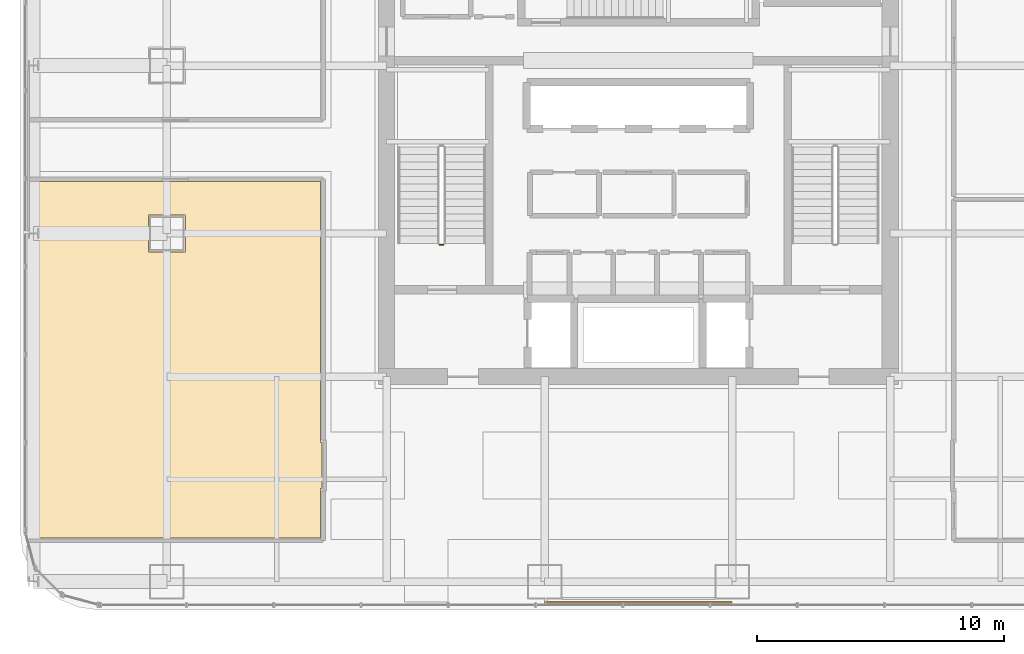
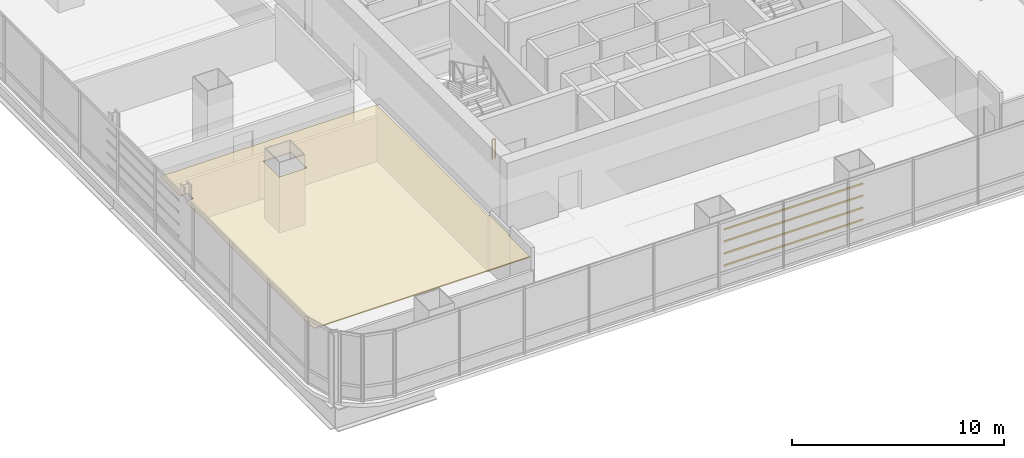
# One storey, part 34 of 38: 4 shading devices, 1 covering, 1 railing.
"""IFC4 building model written with IfcOpenShell, lengths in metres."""

from ifc_helpers import new_model, si_unit, direction, frame, origin, origin_2d, place, context, subcontext, project, spatial, polyline, hollow_rectangle, circle, outline, extrude, material, layer, layer_set, material_profile, profile_set, type_object, element, save


model = new_model("IFC4")

# Units and contexts
model_context = context("Model", 3, precision=1e-05, world=origin(), true_north=direction((0.0, 1.0)))
body_context = subcontext(model_context, "Body", "Model", "MODEL_VIEW")
ifc_project = project(units=[si_unit("LENGTHUNIT", "METRE"), si_unit("AREAUNIT", "SQUARE_METRE"), si_unit("VOLUMEUNIT", "CUBIC_METRE"), si_unit("PLANEANGLEUNIT", "RADIAN"), si_unit("MASSUNIT", "GRAM", prefix="KILO")], contexts=[model_context])

# Site, building, storey
site_placement = place(None, origin())
site = spatial("IfcSite", under=ifc_project, at=site_placement, CompositionType="ELEMENT")
building_placement = place(site_placement, origin())
building = spatial("IfcBuilding", under=site, at=building_placement, Name="Punatoya Terracotta Tower", CompositionType="ELEMENT")
storey_placement = place(building_placement, frame((0.0, 0.0, 151.949951171875)))
storey = spatial("IfcBuildingStorey", under=building, at=storey_placement, Name="L35", CompositionType="ELEMENT", Elevation=151.949951171875)

# Covering
ifc_material_1 = material(Name="Acoustic Mineral Fibre Ceiling")
ifc_layer = layer(ifc_material_1, 0.06005859375)
ifc_layer_set = layer_set([ifc_layer], Name="Acoustic Mineral Fibre Ceiling")
covering_type = type_object("IfcCoveringType", Name="COV-CEIL-60", PredefinedType="CEILING", material=ifc_layer_set)
covering_placement = place(storey_placement, frame((0.0, 0.0, 3.219970703125)))
element("IfcCovering", 1, at=covering_placement, inside=storey, type_object=covering_type, Name="L35 Cartography Reference Library Acoustic Ceiling", PredefinedType="CEILING", context=body_context, shape_type="SweptSolid", body=[
    extrude(outline(polyline([(-24.24560546875, -3.66259765625), (-24.669921875, -3.66259765625), (-24.669921875, -15.425048828125), (-24.628662109375, -15.739990234375), (-12.8701171875, -15.739990234375), (-12.8701171875, -13.72998046875), (-12.81005859375, -13.72998046875), (-12.81005859375, -11.8701171875), (-12.8701171875, -11.8701171875), (-12.8701171875, -1.300048828125), (-24.669921875, -1.300048828125), (-24.669921875, -3.137451171875), (-24.24560546875, -3.137451171875), (-24.24560546875, -3.66259765625)]), holes=[polyline([(-18.35009765625, -4.14990234375), (-19.85009765625, -4.14990234375), (-19.85009765625, -2.64990234375), (-18.35009765625, -2.64990234375), (-18.35009765625, -4.14990234375)])]), origin(), (0.0, 0.0, 1.0), 0.06005859375),
])

# Railing
ifc_material_2 = material(Name="Steel S355", Category="steel")
railing_type = type_object("IfcRailingType", Name="RLG-GRD-1150", PredefinedType="GUARDRAIL", material=ifc_material_2)
railing_placement = place(storey_placement, frame((-7.89990234375, -3.85009765625, 0.0)))
element("IfcRailing", 2, at=railing_placement, inside=storey, type_object=railing_type, Name="L35 ST-1 stair guard 4", PredefinedType="GUARDRAIL", context=body_context, shape_type="SweptSolid", body=[
    extrude(circle(Radius=0.02392578125, at=origin_2d()), frame((0.0, 0.0, 1.1259765625), z_axis=(-1.0, 0.0, 0.0), x_axis=(0.0, -1.0, 0.0)), (0.0, 0.0, 1.0), 0.150146484375),
    extrude(circle(Radius=0.02099609375, at=origin_2d()), origin(), (0.0, 0.0, 1.0), 1.101806640625),
    extrude(circle(Radius=0.02099609375, at=origin_2d()), frame((-0.150146484375, 0.0, 0.0)), (0.0, 0.0, 1.0), 1.101806640625),
])

# Shading devices
ifc_material_3 = material(Name="Architectural Fired Terracotta", Category="masonry")
ifc_material_profile = material_profile(ifc_material_3, hollow_rectangle(XDim=0.06005859375, YDim=0.090087890625, WallThickness=0.013916015625, at=origin_2d()))
ifc_profile_set = profile_set([ifc_material_profile], Name="Architectural Fired Terracotta")
shading_device_type = type_object("IfcShadingDeviceType", Name="SHD-JALI-90", PredefinedType="JALOUSIE", material=ifc_profile_set)
for number, where, z_axis, x_axis, name in (
    (3, (-3.800048828125, -18.340087890625, 1.150146484375), (1.0, 0.0, 0.0), (0.0, 1.0, 0.0), "L35 Fired Terracotta Baguette Louvre BAG-L35-S-01"),
    (4, (-3.800048828125, -18.340087890625, 1.84326171875), (1.0, 0.0, 0.0), (0.0, 1.0, 0.0), "L35 Fired Terracotta Baguette Louvre BAG-L35-S-02"),
    (5, (-3.800048828125, -18.340087890625, 2.536865234375), (1.0, 0.0, 0.0), (0.0, 1.0, 0.0), "L35 Fired Terracotta Baguette Louvre BAG-L35-S-03"),
    (6, (-3.800048828125, -18.340087890625, 3.22998046875), (1.0, 0.0, 0.0), (0.0, 1.0, 0.0), "L35 Fired Terracotta Baguette Louvre BAG-L35-S-04"),
):
    element("IfcShadingDevice", number, at=place(storey_placement, frame(where, z_axis=z_axis, x_axis=x_axis)), inside=storey, type_object=shading_device_type, Name=name, PredefinedType="JALOUSIE", context=body_context, shape_type="SweptSolid", body=[
        extrude(hollow_rectangle(XDim=0.06005859375, YDim=0.090087890625, WallThickness=0.013916015625, at=origin_2d()), origin(), (0.0, 0.0, 1.0), 7.60009765625),
    ])

save(model, "model.ifc")
